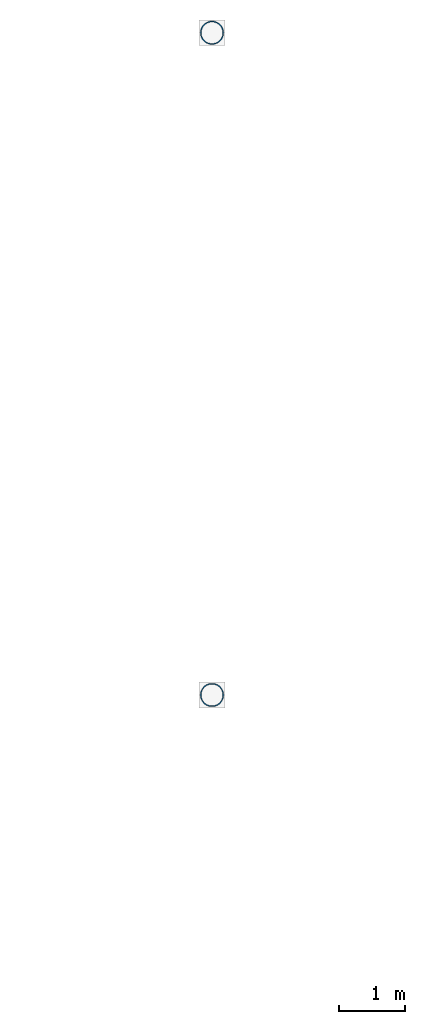
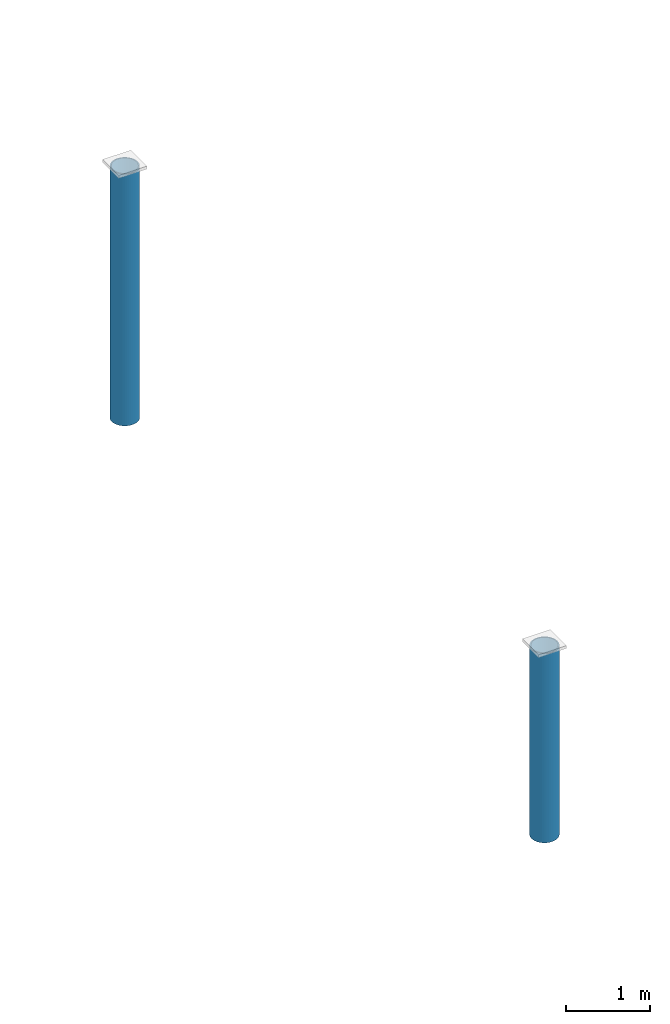
# One storey, part 4 of 23: 2 columns.
"""IFC4 building model written with IfcOpenShell, lengths in metres."""

from ifc_helpers import new_model, si_unit, direction, frame, origin, origin_2d, place, context, subcontext, project, spatial, hollow_circle, extrude, material, material_profile, profile_set, type_object, element, save


model = new_model("IFC4")

# Units and contexts
model_context = context("Model", 3, precision=1e-05, world=origin(), true_north=direction((0.0, 1.0)))
body_context = subcontext(model_context, "Body", "Model", "MODEL_VIEW")
ifc_project = project(units=[si_unit("LENGTHUNIT", "METRE"), si_unit("AREAUNIT", "SQUARE_METRE"), si_unit("VOLUMEUNIT", "CUBIC_METRE"), si_unit("PLANEANGLEUNIT", "RADIAN"), si_unit("MASSUNIT", "GRAM", prefix="KILO"), si_unit("THERMODYNAMICTEMPERATUREUNIT", "KELVIN"), si_unit("POWERUNIT", "WATT")], contexts=[model_context])

# Site, building, storey
site_placement = place(None, origin())
site = spatial("IfcSite", under=ifc_project, at=site_placement, CompositionType="ELEMENT")
building_placement = place(site_placement, origin())
building = spatial("IfcBuilding", under=site, at=building_placement, Name="Korenveer Ferry Terminal", CompositionType="ELEMENT")
storey_placement = place(building_placement, frame((0.0, 0.0, 14.39990234375)))
storey = spatial("IfcBuildingStorey", under=building, at=storey_placement, Name="L03", CompositionType="ELEMENT", Elevation=14.39990234375)

# Columns
ifc_material = material(Name="Steel S355", Category="steel")
ifc_material_profile = material_profile(ifc_material, hollow_circle(Radius=0.177734375, WallThickness=0.01611328125, at=origin_2d()), Name="CHS 355.6x16")
ifc_profile_set = profile_set([ifc_material_profile], Name="Steel S355")
column_type = type_object("IfcColumnType", Name="STR-COL-CHS355", PredefinedType="COLUMN", material=ifc_profile_set)
column_1_placement = place(storey_placement, frame((53.0, 90.0, 0.002197265625), z_axis=(0.0, 0.0, 1.0), x_axis=(1.0, 0.0, 0.0)))
element("IfcColumn", 1, at=column_1_placement, inside=storey, type_object=column_type, Name="Folded roof valley support column RCOL-X53-Y90", PredefinedType="COLUMN", context=body_context, shape_type="SweptSolid", body=[
    extrude(hollow_circle(Radius=0.177734375, WallThickness=0.01611328125, at=origin_2d()), origin(), (0.0, 0.0, 1.0), 2.752197265625),
])
column_2_placement = place(storey_placement, frame((53.0, 100.0, 0.002197265625), z_axis=(0.0, 0.0, 1.0), x_axis=(1.0, 0.0, 0.0)))
element("IfcColumn", 2, at=column_2_placement, inside=storey, type_object=column_type, Name="Folded roof valley support column RCOL-X53-Y100", PredefinedType="COLUMN", context=body_context, shape_type="SweptSolid", body=[
    extrude(hollow_circle(Radius=0.177734375, WallThickness=0.01611328125, at=origin_2d()), origin(), (0.0, 0.0, 1.0), 3.66015625),
])

save(model, "model.ifc")
